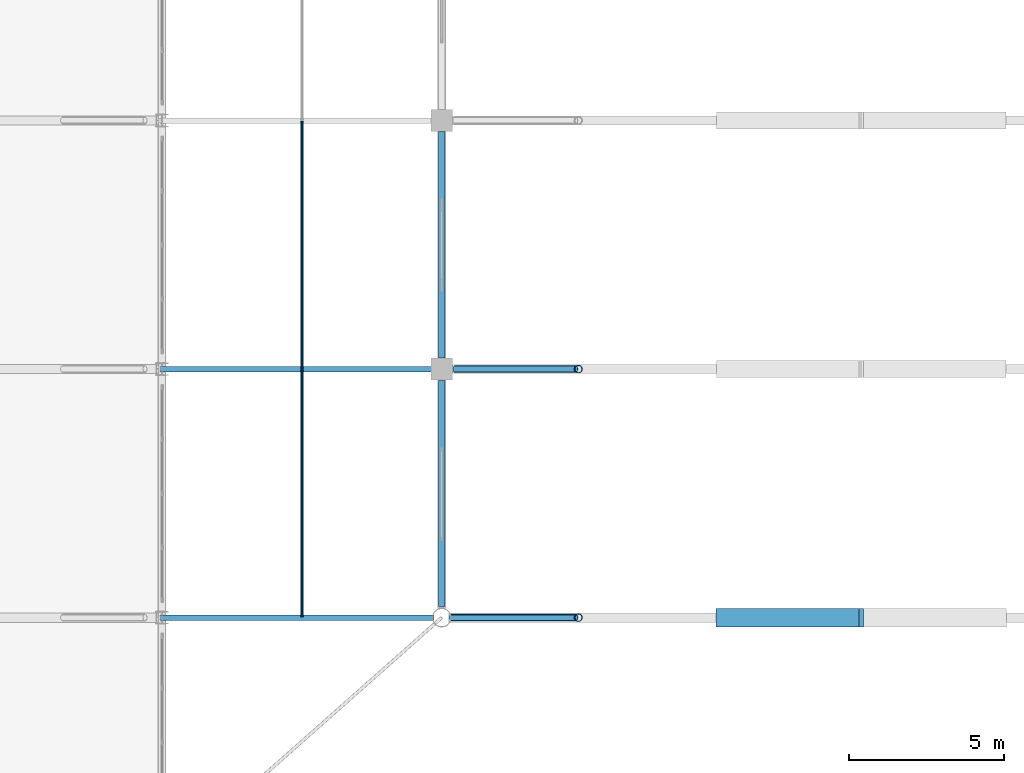
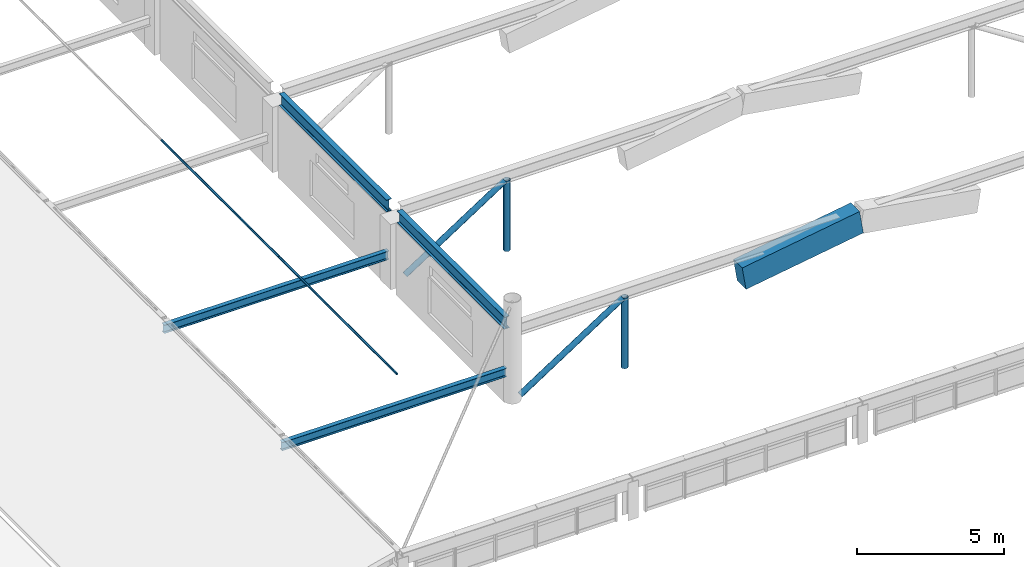
# One storey, part 24 of 128: 6 members, 5 beams.
"""IFC4 building model written with IfcOpenShell, lengths in metres."""

from ifc_helpers import new_model, si_unit, derived_unit, direction, frame, origin, origin_2d, place, context, subcontext, project, spatial, rectangle, hollow_circle, i_section, extrude, material, material_profile, profile_set, type_object, element, save


model = new_model("IFC4")

# Units and contexts
model_context = context("Model", 3, precision=1e-05, world=origin(), true_north=direction((0.0, 1.0)))
body_context = subcontext(model_context, "Body", "Model", "MODEL_VIEW")
ifc_project = project(units=[si_unit("LENGTHUNIT", "METRE"), si_unit("AREAUNIT", "SQUARE_METRE"), si_unit("VOLUMEUNIT", "CUBIC_METRE"), si_unit("PLANEANGLEUNIT", "RADIAN"), si_unit("MASSUNIT", "GRAM", prefix="KILO"), derived_unit("THERMALTRANSMITTANCEUNIT", [(si_unit("MASSUNIT", "GRAM", prefix="KILO"), 1), (si_unit("TIMEUNIT", "SECOND"), -3), (si_unit("THERMODYNAMICTEMPERATUREUNIT", "KELVIN"), -1)])], contexts=[model_context])

# Site, building, storey
site_placement = place(None, origin())
site = spatial("IfcSite", under=ifc_project, at=site_placement, CompositionType="ELEMENT")
building_placement = place(site_placement, origin())
building = spatial("IfcBuilding", under=site, at=building_placement, Name="Zhenchuan Archway Interchange", CompositionType="ELEMENT")
storey_placement = place(building_placement, frame((0.0, 0.0, 14.39990234375)))
storey = spatial("IfcBuildingStorey", under=building, at=storey_placement, Name="L03", CompositionType="ELEMENT", Elevation=14.39990234375)

# Beams
ifc_material_1 = material(Name="Concrete C50", Category="concrete")
ifc_material_profile_1 = material_profile(ifc_material_1, rectangle(XDim=0.60009765625, YDim=0.949951171875, at=origin_2d()), Name="RC 600x950")
ifc_profile_set_1 = profile_set([ifc_material_profile_1], Name="Concrete C50")
beam_type_1 = type_object("IfcBeamType", Name="BM_RC_ARCH_600x950", PredefinedType="BEAM", material=ifc_profile_set_1)
beam_placement = place(storey_placement, frame((44.902099609375, 32.0, 2.05029296875), z_axis=(0.987636302069, 0.0, 0.156762670416), x_axis=(0.0, 1.0, 0.0)))
element("IfcBeam", 1, at=beam_placement, inside=storey, type_object=beam_type_1, Name="Parabolic RC concourse arch A1 segment 3", PredefinedType="BEAM", context=body_context, shape_type="SweptSolid", body=[
    extrude(rectangle(XDim=0.60009765625, YDim=0.949951171875, at=origin_2d()), origin(), (0.0, 0.0, 1.0), 4.653564453125),
])
ifc_material_2 = material(Name="Steel Q355", Category="steel")
ifc_material_profile_2 = material_profile(ifc_material_2, i_section(OverallWidth=0.175048828125, OverallDepth=0.35009765625, WebThickness=0.007080078125, FlangeThickness=0.010986328125, FilletRadius=0.013916015625, at=origin_2d()), Name="HN 350x175")
ifc_profile_set_2 = profile_set([ifc_material_profile_2], Name="Steel Q355")
beam_type_2 = type_object("IfcBeamType", Name="BM_STL_EAVE_HN350", PredefinedType="BEAM", material=ifc_profile_set_2)
for number, where, z_axis, x_axis, name in (
    (2, (26.949951171875, 32.0, 1.25), (1.0, 0.0, 0.0), (0.0, 1.0, 0.0), "Concourse west ring-to-clerestory tie beam 2"),
    (3, (26.949951171875, 40.0, 1.25), (1.0, 0.0, 0.0), (0.0, 1.0, 0.0), "Concourse west ring-to-clerestory tie beam 3"),
):
    element("IfcBeam", number, at=place(storey_placement, frame(where, z_axis=z_axis, x_axis=x_axis)), inside=storey, type_object=beam_type_2, Name=name, PredefinedType="BEAM", context=body_context, shape_type="SweptSolid", body=[
        extrude(i_section(OverallWidth=0.175048828125, OverallDepth=0.35009765625, WebThickness=0.007080078125, FlangeThickness=0.010986328125, FilletRadius=0.013916015625, at=origin_2d()), origin(), (0.0, 0.0, 1.0), 8.800048828125),
    ])
ifc_material_profile_3 = material_profile(ifc_material_2, i_section(OverallWidth=0.199951171875, OverallDepth=0.5, WebThickness=0.010009765625, FlangeThickness=0.01611328125, FilletRadius=0.02001953125, at=origin_2d()), Name="HN 500x200")
ifc_profile_set_3 = profile_set([ifc_material_profile_3], Name="Steel Q355")
beam_type_3 = type_object("IfcBeamType", Name="BM_STL_HN500", PredefinedType="BEAM", material=ifc_profile_set_3)
for number, where, z_axis, x_axis, name in (
    (4, (36.0, 32.360107421875, 2.9501953125), (0.0, 1.0, 0.0), (-1.0, 0.0, 0.0), "Concourse clerestory header beam W 32-40"),
    (5, (36.0, 40.360107421875, 2.9501953125), (0.0, 1.0, 0.0), (-1.0, 0.0, 0.0), "Concourse clerestory header beam W 40-48"),
):
    element("IfcBeam", number, at=place(storey_placement, frame(where, z_axis=z_axis, x_axis=x_axis)), inside=storey, type_object=beam_type_3, Name=name, PredefinedType="BEAM", context=body_context, shape_type="SweptSolid", body=[
        extrude(i_section(OverallWidth=0.199951171875, OverallDepth=0.5, WebThickness=0.010009765625, FlangeThickness=0.01611328125, FilletRadius=0.02001953125, at=origin_2d()), origin(), (0.0, 0.0, 1.0), 7.27978515625),
    ])

# Members
ifc_material_3 = material(Name="Steel Q390", Category="steel")
ifc_material_profile_4 = material_profile(ifc_material_3, hollow_circle(Radius=0.04443359375, WallThickness=0.006103515625, at=origin_2d()), Name="CHS 89x6")
ifc_profile_set_4 = profile_set([ifc_material_profile_4], Name="Steel Q390")
member_type_1 = type_object("IfcMemberType", Name="MB_CBL_CHS89", PredefinedType="USERDEFINED", material=ifc_profile_set_4)
for number, where, z_axis, x_axis, name in (
    (6, (31.5, 32.02001953125, 2.60009765625), (0.0, 1.0, 0.0), (-1.0, 0.0, 0.0), "CONCOURSE ROOF CABLE longitudinal net strand 1-1"),
    (7, (31.5, 40.02001953125, 2.60009765625), (0.0, 1.0, 0.0), (-1.0, 0.0, 0.0), "CONCOURSE ROOF CABLE longitudinal net strand 2-1"),
):
    element("IfcMember", number, at=place(storey_placement, frame(where, z_axis=z_axis, x_axis=x_axis)), inside=storey, type_object=member_type_1, Name=name, ObjectType="CABLE", PredefinedType="USERDEFINED", context=body_context, shape_type="SweptSolid", body=[
        extrude(hollow_circle(Radius=0.04443359375, WallThickness=0.006103515625, at=origin_2d()), origin(), (0.0, 0.0, 1.0), 7.9599609375),
    ])
ifc_material_profile_5 = material_profile(ifc_material_2, hollow_circle(Radius=0.109619140625, WallThickness=0.008056640625, at=origin_2d()), Name="CHS 219x8")
ifc_profile_set_5 = profile_set([ifc_material_profile_5], Name="Steel Q355")
member_type_2 = type_object("IfcMemberType", Name="MB_CHS219", PredefinedType="BRACE", material=ifc_profile_set_5)
member_1_placement = place(storey_placement, frame((36.304931640625, 32.0, 0.075439453125), z_axis=(0.83893044291, 0.0, 0.544238653496), x_axis=(0.0, 1.0, 0.0)))
element("IfcMember", 8, at=member_1_placement, inside=storey, type_object=member_type_2, Name="ROOF TRUSS concourse arch A1 west spandrel diagonal", PredefinedType="BRACE", context=body_context, shape_type="SweptSolid", body=[
    extrude(hollow_circle(Radius=0.109619140625, WallThickness=0.008056640625, at=origin_2d()), origin(), (0.0, 0.0, 1.0), 4.7861328125),
])
member_2_placement = place(storey_placement, frame((36.419921875, 40.0, 0.150146484375), z_axis=(0.838941198119, 0.0, 0.544222074248), x_axis=(0.0, 1.0, 0.0)))
element("IfcMember", 9, at=member_2_placement, inside=storey, type_object=member_type_2, Name="ROOF TRUSS concourse arch A2 west spandrel diagonal", PredefinedType="BRACE", context=body_context, shape_type="SweptSolid", body=[
    extrude(hollow_circle(Radius=0.109619140625, WallThickness=0.008056640625, at=origin_2d()), origin(), (0.0, 0.0, 1.0), 4.64892578125),
])
ifc_material_profile_6 = material_profile(ifc_material_2, hollow_circle(Radius=0.12255859375, WallThickness=0.010009765625, at=origin_2d()), Name="CHS 245x10")
ifc_profile_set_6 = profile_set([ifc_material_profile_6], Name="Steel Q355")
member_type_3 = type_object("IfcMemberType", Name="MB_CHS245", PredefinedType="BRACE", material=ifc_profile_set_6)
for number, where, z_axis, x_axis, name in (
    (10, (40.39990234375, 32.0, -0.199951171875), (0.0, 0.0, 1.0), (1.0, 0.0, 0.0), "ROOF TRUSS concourse arch A1 spandrel post 1"),
    (11, (40.39990234375, 40.0, -0.199951171875), (0.0, 0.0, 1.0), (1.0, 0.0, 0.0), "ROOF TRUSS concourse arch A2 spandrel post 1"),
):
    element("IfcMember", number, at=place(storey_placement, frame(where, z_axis=z_axis, x_axis=x_axis)), inside=storey, type_object=member_type_3, Name=name, PredefinedType="BRACE", context=body_context, shape_type="SweptSolid", body=[
        extrude(hollow_circle(Radius=0.12255859375, WallThickness=0.010009765625, at=origin_2d()), origin(), (0.0, 0.0, 1.0), 2.920166015625),
    ])

save(model, "model.ifc")
